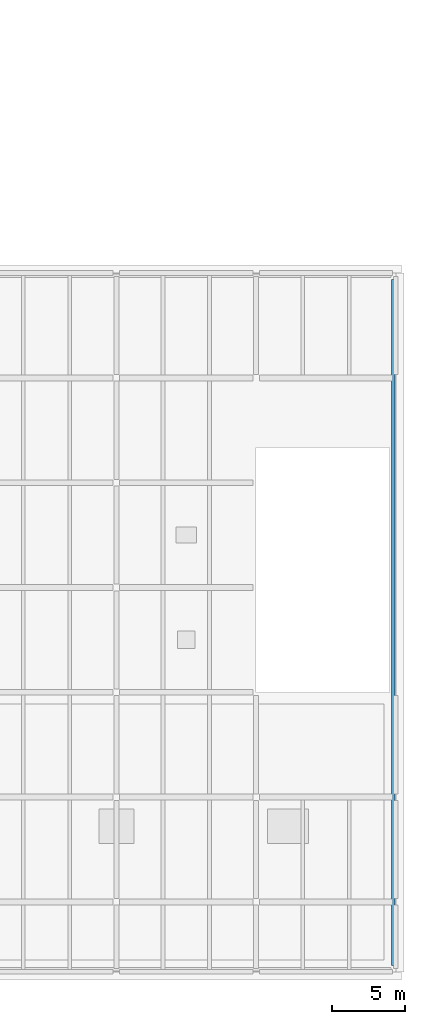
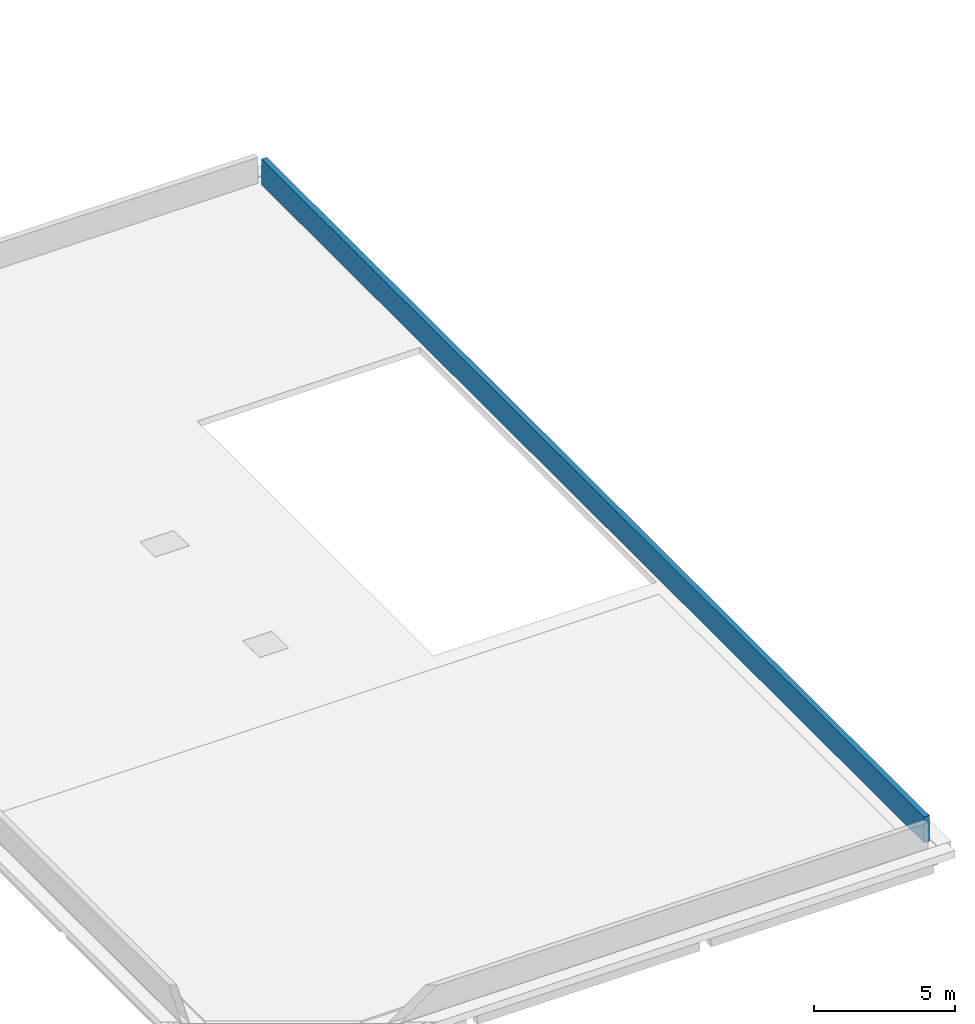
# One storey, part 19 of 24: 1 wall.
"""IFC4 building model written with IfcOpenShell, lengths in metres."""

from ifc_helpers import new_model, si_unit, direction, frame, frame_2d, origin, place, context, subcontext, project, spatial, rectangle, extrude, material, layer, layer_set, type_object, element, save


model = new_model("IFC4")

# Units and contexts
model_context = context("Model", 3, precision=1e-05, world=origin(), true_north=direction((0.0, 1.0)))
body_context = subcontext(model_context, "Body", "Model", "MODEL_VIEW")
ifc_project = project(units=[si_unit("LENGTHUNIT", "METRE"), si_unit("AREAUNIT", "SQUARE_METRE"), si_unit("VOLUMEUNIT", "CUBIC_METRE"), si_unit("PLANEANGLEUNIT", "RADIAN"), si_unit("MASSUNIT", "GRAM", prefix="KILO")], contexts=[model_context])

# Site, building, storey
site_placement = place(None, origin())
site = spatial("IfcSite", under=ifc_project, at=site_placement, CompositionType="ELEMENT")
building_placement = place(site_placement, origin())
building = spatial("IfcBuilding", under=site, at=building_placement, Name="Asteropetra Specialist Clinic", CompositionType="ELEMENT")
storey_placement = place(building_placement, frame((0.0, 0.0, 20.739990234375)))
storey = spatial("IfcBuildingStorey", under=building, at=storey_placement, Name="L05", CompositionType="ELEMENT", Elevation=20.739990234375)

# Wall
ifc_material = material(Name="Piraeus poros limestone", Category="masonry")
ifc_layer = layer(ifc_material, 0.219970703125)
ifc_layer_set = layer_set([ifc_layer], Name="Piraeus poros limestone")
wall_type = type_object("IfcWallType", Name="EW-PARAPET-220", PredefinedType="PARAPET", material=ifc_layer_set)
wall_placement = place(storey_placement, frame((134.219970703125, 0.449951171875, 0.0), z_axis=(0.0, 0.0, 1.0), x_axis=(0.0, 1.0, 0.0)))
element("IfcWall", 1, at=wall_placement, inside=storey, type_object=wall_type, Name="Roof Parapet WP-16", PredefinedType="PARAPET", context=body_context, shape_type="SweptSolid", body=[
    extrude(rectangle(XDim=47.10009765625, YDim=0.219970703125, at=frame_2d((23.550048828125, 0.0))), origin(), (0.0, 0.0, 1.0), 1.1201171875),
])

save(model, "model.ifc")
